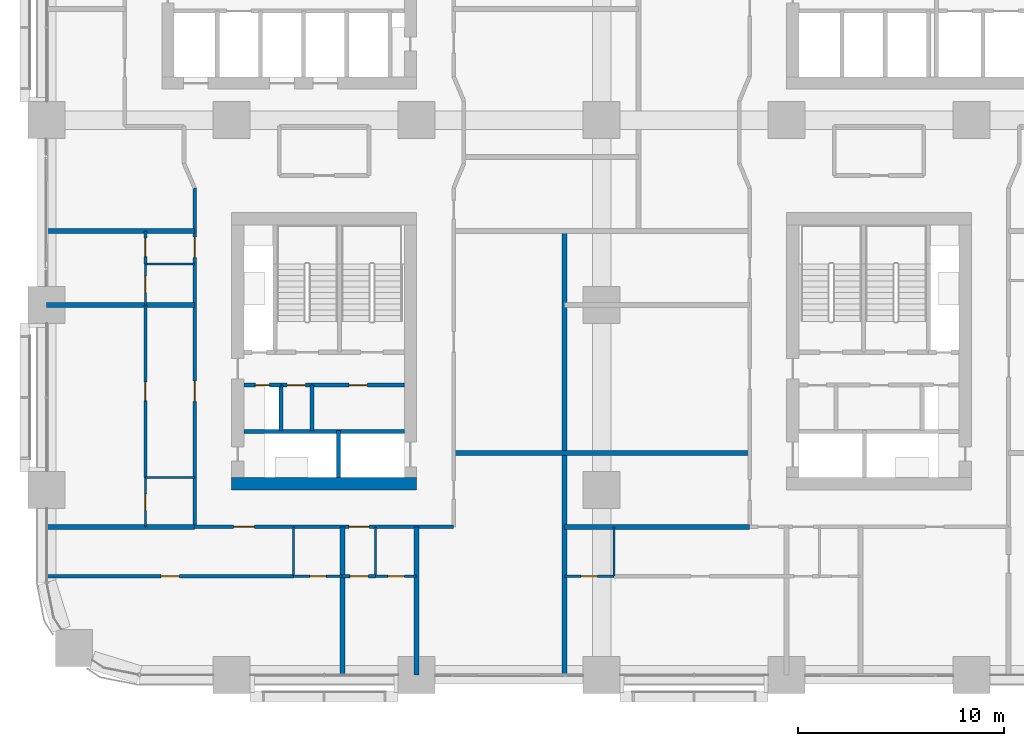
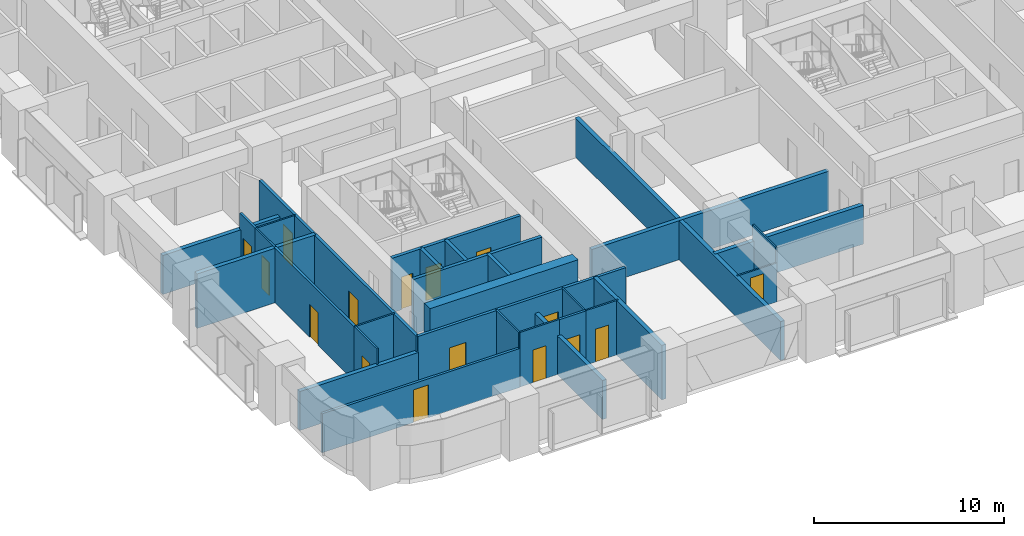
# One storey, part 14 of 23: 31 walls, 16 doors, 16 openings.
"""IFC4 building model written with IfcOpenShell, lengths in metres."""

from ifc_helpers import new_model, si_unit, direction, frame, frame_2d, origin, place, context, subcontext, project, spatial, rectangle, extrude, material, layer, layer_set, type_object, element, fill, save


model = new_model("IFC4")

# Units and contexts
model_context = context("Model", 3, precision=1e-05, world=origin(), true_north=direction((0.0, 1.0)))
body_context = subcontext(model_context, "Body", "Model", "MODEL_VIEW")
ifc_project = project(units=[si_unit("LENGTHUNIT", "METRE"), si_unit("AREAUNIT", "SQUARE_METRE"), si_unit("VOLUMEUNIT", "CUBIC_METRE"), si_unit("PLANEANGLEUNIT", "RADIAN"), si_unit("MASSUNIT", "GRAM", prefix="KILO")], contexts=[model_context])

# Site, building, storey
site_placement = place(None, origin())
site = spatial("IfcSite", under=ifc_project, at=site_placement, CompositionType="ELEMENT")
building_placement = place(site_placement, origin())
building = spatial("IfcBuilding", under=site, at=building_placement, Name="Tessera Arch", CompositionType="ELEMENT")
storey_placement = place(building_placement, frame((0.0, 0.0, 57.60009765625)))
storey = spatial("IfcBuildingStorey", under=building, at=storey_placement, Name="L12", CompositionType="ELEMENT", Elevation=57.60009765625)

# Wall
ifc_material_1 = material(Name="Gypsum board on steel stud", Category="steel")
ifc_layer_1 = layer(ifc_material_1, 0.125)
ifc_layer_set_1 = layer_set([ifc_layer_1], Name="Core partition 125 EI 60")
wall_type_1 = type_object("IfcWallType", Name="Core partition 125 EI 60", PredefinedType="PARTITIONING", material=ifc_layer_set_1)
wall_1_placement = place(storey_placement, frame((12.89990234375, 11.89990234375, 0.0), z_axis=(0.0, 0.0, 1.0), x_axis=(0.0, 1.0, 0.0)))
element("IfcWall", 1, at=wall_1_placement, inside=storey, type_object=wall_type_1, Name="L12 C4 partition wall 4", PredefinedType="PARTITIONING", context=body_context, shape_type="SweptSolid", body=[
    extrude(rectangle(XDim=2.2001953125, YDim=0.199951171875, at=frame_2d((1.10009765625, 0.0))), origin(), (0.0, 0.0, 1.0), 3.5),
])

# Wall, openings, doors
wall_2_placement = place(storey_placement, frame((11.39990234375, 14.10009765625, 0.0), z_axis=(0.0, 0.0, 1.0), x_axis=(1.0, 0.0, 0.0)))
wall_2 = element("IfcWall", 2, at=wall_2_placement, inside=storey, type_object=wall_type_1, Name="L12 C4 partition wall 9", PredefinedType="PARTITIONING", context=body_context, shape_type="SweptSolid", body=[
    extrude(rectangle(XDim=6.0, YDim=0.199951171875, at=frame_2d((3.0, 0.0))), origin(), (0.0, 0.0, 1.0), 3.5),
])
opening_1_placement = place(wall_2_placement, frame((0.300048828125, 0.0, 0.0)))
opening_1 = element("IfcOpeningElement", 3, at=opening_1_placement, cuts=wall_2, Name="Opening L12-C47", PredefinedType="OPENING", context=body_context, shape_type="SweptSolid", body=[
    extrude(rectangle(XDim=0.89990234375, YDim=2.10009765625, at=frame_2d((0.449951171875, 1.050048828125))), frame((0.0, 0.10986328125, 0.0), z_axis=(0.0, -1.0, 0.0), x_axis=(1.0, 0.0, 0.0)), (0.0, 0.0, 1.0), 0.219970703125),
])
opening_2_placement = place(wall_2_placement, frame((3.300048828125, 0.0, 0.0)))
opening_2 = element("IfcOpeningElement", 4, at=opening_2_placement, cuts=wall_2, Name="Opening L12-C48", PredefinedType="OPENING", context=body_context, shape_type="SweptSolid", body=[
    extrude(rectangle(XDim=0.89990234375, YDim=2.10009765625, at=frame_2d((0.449951171875, 1.050048828125))), frame((0.0, 0.10986328125, 0.0), z_axis=(0.0, -1.0, 0.0), x_axis=(1.0, 0.0, 0.0)), (0.0, 0.0, 1.0), 0.219970703125),
])
ifc_material_2 = material(Name="Steel door leaf", Category="steel")
door_type_1 = type_object("IfcDoorType", Name="Store door FD30S 900 x 2100", OperationType="SINGLE_SWING_LEFT", PredefinedType="DOOR", material=ifc_material_2)
door_1_placement = place(opening_1_placement, origin())
door_1 = element("IfcDoor", 5, at=door_1_placement, inside=storey, type_object=door_type_1, Name="L12 C4 door 8 C47 type D09", OperationType="SINGLE_SWING_LEFT", OverallHeight=2.10009765625, OverallWidth=0.89990234375, PredefinedType="DOOR", context=body_context, shape_type="SweptSolid", body=[
    extrude(rectangle(XDim=0.89990234375, YDim=2.10009765625, at=frame_2d((0.449951171875, 1.050048828125))), frame((0.0, 0.02490234375, 0.0), z_axis=(0.0, -1.0, 0.0), x_axis=(1.0, 0.0, 0.0)), (0.0, 0.0, 1.0), 0.050048828125),
])
fill(opening_1, door_1)
door_2_placement = place(opening_2_placement, origin())
door_2 = element("IfcDoor", 6, at=door_2_placement, inside=storey, type_object=door_type_1, Name="L12 C4 door 9 C48 type D09", OperationType="SINGLE_SWING_RIGHT", OverallHeight=2.10009765625, OverallWidth=0.89990234375, PredefinedType="DOOR", context=body_context, shape_type="SweptSolid", body=[
    extrude(rectangle(XDim=0.89990234375, YDim=2.10009765625, at=frame_2d((0.449951171875, 1.050048828125))), frame((0.0, 0.02490234375, 0.0), z_axis=(0.0, -1.0, 0.0), x_axis=(1.0, 0.0, 0.0)), (0.0, 0.0, 1.0), 0.050048828125),
])
fill(opening_2, door_2)

# Wall
ifc_material_3 = material(Name="Concrete C70/85", Category="concrete")
ifc_layer_2 = layer(ifc_material_3, 0.60009765625)
ifc_layer_set_2 = layer_set([ifc_layer_2], Name="Core shell wall 600 C70-85")
wall_type_2 = type_object("IfcWallType", Name="Core shell wall 600 C70-85", PredefinedType="SHEAR", material=ifc_layer_set_2)
wall_3_placement = place(storey_placement, frame((9.0, 9.300048828125, 0.0), z_axis=(0.0, 0.0, 1.0), x_axis=(1.0, 0.0, 0.0)))
element("IfcWall", 7, at=wall_3_placement, inside=storey, type_object=wall_type_2, Name="L12 C4 core wall S", PredefinedType="SHEAR", context=body_context, shape_type="SweptSolid", body=[
    extrude(rectangle(XDim=9.0, YDim=0.60009765625, at=frame_2d((4.5, 0.0))), origin(), (0.0, 0.0, 1.0), 3.5),
])

# Wall, openings, doors
ifc_material_4 = material(Name="Gypsum board on deep steel stud with mineral wool", Category="steel")
ifc_layer_3 = layer(ifc_material_4, 0.175048828125)
ifc_layer_set_3 = layer_set([ifc_layer_3], Name="Corridor wall 175 EI 60")
wall_type_3 = type_object("IfcWallType", Name="Corridor wall 175 EI 60", PredefinedType="PARTITIONING", material=ifc_layer_set_3)
wall_4_placement = place(storey_placement, frame((7.199951171875, 7.199951171875, 0.0), z_axis=(0.0, 0.0, 1.0), x_axis=(1.0, 0.0, 0.0)))
wall_4 = element("IfcWall", 8, at=wall_4_placement, inside=storey, type_object=wall_type_3, Name="L12 partition 1", PredefinedType="PARTITIONING", context=body_context, shape_type="SweptSolid", body=[
    extrude(rectangle(XDim=12.60009765625, YDim=0.175048828125, at=frame_2d((6.300048828125, 0.0))), origin(), (0.0, 0.0, 1.0), 3.5),
])
opening_3_placement = place(wall_4_placement, frame((7.5, 0.0, 0.0)))
opening_3 = element("IfcOpeningElement", 9, at=opening_3_placement, cuts=wall_4, Name="Opening L12-D001", PredefinedType="OPENING", context=body_context, shape_type="SweptSolid", body=[
    extrude(rectangle(XDim=1.0, YDim=2.10009765625, at=frame_2d((0.5, 1.050048828125))), frame((0.0, 0.097412109375, 0.0), z_axis=(0.0, -1.0, 0.0), x_axis=(1.0, 0.0, 0.0)), (0.0, 0.0, 1.0), 0.195068359375),
])
opening_4_placement = place(wall_4_placement, frame((1.89990234375, 0.0, 0.0)))
opening_4 = element("IfcOpeningElement", 10, at=opening_4_placement, cuts=wall_4, Name="Opening L12-D011", PredefinedType="OPENING", context=body_context, shape_type="SweptSolid", body=[
    extrude(rectangle(XDim=1.0, YDim=2.10009765625, at=frame_2d((0.5, 1.050048828125))), frame((0.0, 0.097412109375, 0.0), z_axis=(0.0, -1.0, 0.0), x_axis=(1.0, 0.0, 0.0)), (0.0, 0.0, 1.0), 0.195068359375),
])
ifc_material_5 = material(Name="Fire-rated door leaf")
door_type_2 = type_object("IfcDoorType", Name="Entrance door FD30S 1000 x 2100", OperationType="SINGLE_SWING_LEFT", PredefinedType="DOOR", material=ifc_material_5)
door_3_placement = place(opening_3_placement, origin())
door_3 = element("IfcDoor", 11, at=door_3_placement, inside=storey, type_object=door_type_2, Name="L12 door D001 type D03", OperationType="SINGLE_SWING_RIGHT", OverallHeight=2.10009765625, OverallWidth=1.0, PredefinedType="DOOR", context=body_context, shape_type="SweptSolid", body=[
    extrude(rectangle(XDim=1.0, YDim=2.10009765625, at=frame_2d((0.5, 1.050048828125))), frame((0.0, 0.02490234375, 0.0), z_axis=(0.0, -1.0, 0.0), x_axis=(1.0, 0.0, 0.0)), (0.0, 0.0, 1.0), 0.050048828125),
])
fill(opening_3, door_3)
door_4_placement = place(opening_4_placement, origin())
door_4 = element("IfcDoor", 12, at=door_4_placement, inside=storey, type_object=door_type_2, Name="L12 door D011 type D03", OperationType="SINGLE_SWING_RIGHT", OverallHeight=2.10009765625, OverallWidth=1.0, PredefinedType="DOOR", context=body_context, shape_type="SweptSolid", body=[
    extrude(rectangle(XDim=1.0, YDim=2.10009765625, at=frame_2d((0.5, 1.050048828125))), frame((0.0, 0.02490234375, 0.0), z_axis=(0.0, -1.0, 0.0), x_axis=(1.0, 0.0, 0.0)), (0.0, 0.0, 1.0), 0.050048828125),
])
fill(opening_4, door_4)

wall_5_placement = place(storey_placement, frame((7.199951171875, 7.199951171875, 0.0), z_axis=(0.0, 0.0, 1.0), x_axis=(0.0, 1.0, 0.0)))
wall_5 = element("IfcWall", 13, at=wall_5_placement, inside=storey, type_object=wall_type_3, Name="L12 partition 13", PredefinedType="PARTITIONING", context=body_context, shape_type="SweptSolid", body=[
    extrude(rectangle(XDim=16.489990234375, YDim=0.175048828125, at=frame_2d((8.2451171875, 0.0))), origin(), (0.0, 0.0, 1.0), 3.5),
])
opening_5_placement = place(wall_5_placement, frame((6.10009765625, 0.0, 0.0)))
opening_5 = element("IfcOpeningElement", 14, at=opening_5_placement, cuts=wall_5, Name="Opening L12-D016", PredefinedType="OPENING", context=body_context, shape_type="SweptSolid", body=[
    extrude(rectangle(XDim=1.0, YDim=2.10009765625, at=frame_2d((0.5, 1.050048828125))), frame((0.0, 0.097412109375, 0.0), z_axis=(0.0, -1.0, 0.0), x_axis=(1.0, 0.0, 0.0)), (0.0, 0.0, 1.0), 0.195068359375),
])
opening_6_placement = place(wall_5_placement, frame((13.10009765625, 0.0, 0.0)))
opening_6 = element("IfcOpeningElement", 15, at=opening_6_placement, cuts=wall_5, Name="Opening L12-D024", PredefinedType="OPENING", context=body_context, shape_type="SweptSolid", body=[
    extrude(rectangle(XDim=1.0, YDim=2.10009765625, at=frame_2d((0.5, 1.050048828125))), frame((0.0, 0.097412109375, 0.0), z_axis=(0.0, -1.0, 0.0), x_axis=(1.0, 0.0, 0.0)), (0.0, 0.0, 1.0), 0.195068359375),
])
door_5_placement = place(opening_5_placement, origin())
door_5 = element("IfcDoor", 16, at=door_5_placement, inside=storey, type_object=door_type_2, Name="L12 door D016 type D03", OperationType="SINGLE_SWING_LEFT", OverallHeight=2.10009765625, OverallWidth=1.0, PredefinedType="DOOR", context=body_context, shape_type="SweptSolid", body=[
    extrude(rectangle(XDim=1.0, YDim=2.10009765625, at=frame_2d((0.5, 1.050048828125))), frame((0.0, 0.02490234375, 0.0), z_axis=(0.0, -1.0, 0.0), x_axis=(1.0, 0.0, 0.0)), (0.0, 0.0, 1.0), 0.050048828125),
])
fill(opening_5, door_5)
door_6_placement = place(opening_6_placement, origin())
door_6 = element("IfcDoor", 17, at=door_6_placement, inside=storey, type_object=door_type_2, Name="L12 door D024 type D03", OperationType="SINGLE_SWING_LEFT", OverallHeight=2.10009765625, OverallWidth=1.0, PredefinedType="DOOR", context=body_context, shape_type="SweptSolid", body=[
    extrude(rectangle(XDim=1.0, YDim=2.10009765625, at=frame_2d((0.5, 1.050048828125))), frame((0.0, 0.02490234375, 0.0), z_axis=(0.0, -1.0, 0.0), x_axis=(1.0, 0.0, 0.0)), (0.0, 0.0, 1.0), 0.050048828125),
])
fill(opening_6, door_6)

# Wall, opening, door
ifc_material_6 = material(Name="Gypsum board on steel stud", Category="steel")
ifc_layer_4 = layer(ifc_material_6, 0.14990234375)
ifc_layer_set_4 = layer_set([ifc_layer_4], Name="Partition 150")
wall_type_4 = type_object("IfcWallType", Name="Partition 150", PredefinedType="PARTITIONING", material=ifc_layer_set_4)
wall_6_placement = place(storey_placement, frame((0.0, 4.800048828125, 0.0), z_axis=(0.0, 0.0, 1.0), x_axis=(1.0, 0.0, 0.0)))
wall_6 = element("IfcWall", 18, at=wall_6_placement, inside=storey, type_object=wall_type_4, Name="L12 partition 27", PredefinedType="PARTITIONING", context=body_context, shape_type="SweptSolid", body=[
    extrude(rectangle(XDim=12.0, YDim=0.14990234375, at=frame_2d((6.0, 0.0))), origin(), (0.0, 0.0, 1.0), 2.5),
])
opening_7_placement = place(wall_6_placement, frame((5.550048828125, 0.0, 0.0)))
opening_7 = element("IfcOpeningElement", 19, at=opening_7_placement, cuts=wall_6, Name="Opening L12-D012", PredefinedType="OPENING", context=body_context, shape_type="SweptSolid", body=[
    extrude(rectangle(XDim=0.89990234375, YDim=2.10009765625, at=frame_2d((0.449951171875, 1.050048828125))), frame((0.0, 0.0849609375, 0.0), z_axis=(0.0, -1.0, 0.0), x_axis=(1.0, 0.0, 0.0)), (0.0, 0.0, 1.0), 0.169921875),
])
ifc_material_7 = material(Name="Timber door leaf", Category="wood")
door_type_3 = type_object("IfcDoorType", Name="Room door 900 x 2100", OperationType="SINGLE_SWING_LEFT", PredefinedType="DOOR", material=ifc_material_7)
door_7_placement = place(opening_7_placement, origin())
door_7 = element("IfcDoor", 20, at=door_7_placement, inside=storey, type_object=door_type_3, Name="L12 door D012 type D01", OperationType="SINGLE_SWING_LEFT", OverallHeight=2.10009765625, OverallWidth=0.89990234375, PredefinedType="DOOR", context=body_context, shape_type="SweptSolid", body=[
    extrude(rectangle(XDim=0.89990234375, YDim=2.10009765625, at=frame_2d((0.449951171875, 1.050048828125))), frame((0.0, 0.02490234375, 0.0), z_axis=(0.0, -1.0, 0.0), x_axis=(1.0, 0.0, 0.0)), (0.0, 0.0, 1.0), 0.050048828125),
])
fill(opening_7, door_7)

wall_7_placement = place(storey_placement, frame((14.39990234375, 4.800048828125, 0.0), z_axis=(0.0, 0.0, 1.0), x_axis=(1.0, 0.0, 0.0)))
wall_7 = element("IfcWall", 21, at=wall_7_placement, inside=storey, type_object=wall_type_4, Name="L12 partition 28", PredefinedType="PARTITIONING", context=body_context, shape_type="SweptSolid", body=[
    extrude(rectangle(XDim=1.60009765625, YDim=0.14990234375, at=frame_2d((0.800048828125, 0.0))), origin(), (0.0, 0.0, 1.0), 3.5),
])
opening_8_placement = place(wall_7_placement, frame((0.35009765625, 0.0, 0.0)))
opening_8 = element("IfcOpeningElement", 22, at=opening_8_placement, cuts=wall_7, Name="Opening L12-D002", PredefinedType="OPENING", context=body_context, shape_type="SweptSolid", body=[
    extrude(rectangle(XDim=0.89990234375, YDim=2.10009765625, at=frame_2d((0.449951171875, 1.050048828125))), frame((0.0, 0.0849609375, 0.0), z_axis=(0.0, -1.0, 0.0), x_axis=(1.0, 0.0, 0.0)), (0.0, 0.0, 1.0), 0.169921875),
])
door_8_placement = place(opening_8_placement, origin())
door_8 = element("IfcDoor", 23, at=door_8_placement, inside=storey, type_object=door_type_3, Name="L12 door D002 type D01", OperationType="SINGLE_SWING_LEFT", OverallHeight=2.10009765625, OverallWidth=0.89990234375, PredefinedType="DOOR", context=body_context, shape_type="SweptSolid", body=[
    extrude(rectangle(XDim=0.89990234375, YDim=2.10009765625, at=frame_2d((0.449951171875, 1.050048828125))), frame((0.0, 0.02490234375, 0.0), z_axis=(0.0, -1.0, 0.0), x_axis=(1.0, 0.0, 0.0)), (0.0, 0.0, 1.0), 0.050048828125),
])
fill(opening_8, door_8)

wall_8_placement = place(storey_placement, frame((4.800048828125, 9.60009765625, 0.0), z_axis=(0.0, 0.0, 1.0), x_axis=(0.0, 1.0, 0.0)))
wall_8 = element("IfcWall", 24, at=wall_8_placement, inside=storey, type_object=wall_type_4, Name="L12 partition 30", PredefinedType="PARTITIONING", context=body_context, shape_type="SweptSolid", body=[
    extrude(rectangle(XDim=8.39990234375, YDim=0.14990234375, at=frame_2d((4.199951171875, 0.0))), origin(), (0.0, 0.0, 1.0), 3.5),
])
opening_9_placement = place(wall_8_placement, frame((3.75, 0.0, 0.0)))
opening_9 = element("IfcOpeningElement", 25, at=opening_9_placement, cuts=wall_8, Name="Opening L12-D017", PredefinedType="OPENING", context=body_context, shape_type="SweptSolid", body=[
    extrude(rectangle(XDim=0.89990234375, YDim=2.10009765625, at=frame_2d((0.449951171875, 1.050048828125))), frame((0.0, 0.0849609375, 0.0), z_axis=(0.0, -1.0, 0.0), x_axis=(1.0, 0.0, 0.0)), (0.0, 0.0, 1.0), 0.169921875),
])
door_9_placement = place(opening_9_placement, origin())
door_9 = element("IfcDoor", 26, at=door_9_placement, inside=storey, type_object=door_type_3, Name="L12 door D017 type D01", OperationType="SINGLE_SWING_RIGHT", OverallHeight=2.10009765625, OverallWidth=0.89990234375, PredefinedType="DOOR", context=body_context, shape_type="SweptSolid", body=[
    extrude(rectangle(XDim=0.89990234375, YDim=2.10009765625, at=frame_2d((0.449951171875, 1.050048828125))), frame((0.0, 0.02490234375, 0.0), z_axis=(0.0, -1.0, 0.0), x_axis=(1.0, 0.0, 0.0)), (0.0, 0.0, 1.0), 0.050048828125),
])
fill(opening_9, door_9)

wall_9_placement = place(storey_placement, frame((4.800048828125, 20.0, 0.0), z_axis=(0.0, 0.0, 1.0), x_axis=(0.0, 1.0, 0.0)))
wall_9 = element("IfcWall", 27, at=wall_9_placement, inside=storey, type_object=wall_type_4, Name="L12 partition 31", PredefinedType="PARTITIONING", context=body_context, shape_type="SweptSolid", body=[
    extrude(rectangle(XDim=1.60009765625, YDim=0.14990234375, at=frame_2d((0.800048828125, 0.0))), origin(), (0.0, 0.0, 1.0), 3.5),
])
opening_10_placement = place(wall_9_placement, frame((0.35009765625, 0.0, 0.0)))
opening_10 = element("IfcOpeningElement", 28, at=opening_10_placement, cuts=wall_9, Name="Opening L12-D025", PredefinedType="OPENING", context=body_context, shape_type="SweptSolid", body=[
    extrude(rectangle(XDim=0.89990234375, YDim=2.10009765625, at=frame_2d((0.449951171875, 1.050048828125))), frame((0.0, 0.0849609375, 0.0), z_axis=(0.0, -1.0, 0.0), x_axis=(1.0, 0.0, 0.0)), (0.0, 0.0, 1.0), 0.169921875),
])
door_10_placement = place(opening_10_placement, origin())
door_10 = element("IfcDoor", 29, at=door_10_placement, inside=storey, type_object=door_type_3, Name="L12 door D025 type D01", OperationType="SINGLE_SWING_RIGHT", OverallHeight=2.10009765625, OverallWidth=0.89990234375, PredefinedType="DOOR", context=body_context, shape_type="SweptSolid", body=[
    extrude(rectangle(XDim=0.89990234375, YDim=2.10009765625, at=frame_2d((0.449951171875, 1.050048828125))), frame((0.0, 0.02490234375, 0.0), z_axis=(0.0, -1.0, 0.0), x_axis=(1.0, 0.0, 0.0)), (0.0, 0.0, 1.0), 0.050048828125),
])
fill(opening_10, door_10)

# Walls
ifc_material_8 = material(Name="Double gypsum board on twin steel stud with acoustic mineral wool", Category="steel")
ifc_layer_5 = layer(ifc_material_8, 0.25)
ifc_layer_set_5 = layer_set([ifc_layer_5], Name="Party wall 250 EI 60")
wall_type_5 = type_object("IfcWallType", Name="Party wall 250 EI 60", PredefinedType="PARTITIONING", material=ifc_layer_set_5)
wall_10_placement = place(storey_placement, frame((0.0, 7.199951171875, 0.0), z_axis=(0.0, 0.0, 1.0), x_axis=(1.0, 0.0, 0.0)))
element("IfcWall", 30, at=wall_10_placement, inside=storey, type_object=wall_type_5, Name="L12 partition 33", PredefinedType="PARTITIONING", context=body_context, shape_type="SweptSolid", body=[
    extrude(rectangle(XDim=7.199951171875, YDim=0.25, at=frame_2d((3.60009765625, 0.0))), origin(), (0.0, 0.0, 1.0), 2.5),
])
wall_11_placement = place(storey_placement, frame((25.199951171875, 7.199951171875, 0.0), z_axis=(0.0, 0.0, 1.0), x_axis=(1.0, 0.0, 0.0)))
element("IfcWall", 31, at=wall_11_placement, inside=storey, type_object=wall_type_5, Name="L12 partition 34", PredefinedType="PARTITIONING", context=body_context, shape_type="SweptSolid", body=[
    extrude(rectangle(XDim=9.0, YDim=0.25, at=frame_2d((4.5, 0.0))), origin(), (0.0, 0.0, 1.0), 2.5),
])
wall_12_placement = place(storey_placement, frame((19.800048828125, 10.800048828125, 0.0), z_axis=(0.0, 0.0, 1.0), x_axis=(1.0, 0.0, 0.0)))
element("IfcWall", 32, at=wall_12_placement, inside=storey, type_object=wall_type_5, Name="L12 partition 35", PredefinedType="PARTITIONING", context=body_context, shape_type="SweptSolid", body=[
    extrude(rectangle(XDim=14.39990234375, YDim=0.25, at=frame_2d((7.199951171875, 0.0))), origin(), (0.0, 0.0, 1.0), 2.5),
])
wall_13_placement = place(storey_placement, frame((0.0, 18.0, 0.0), z_axis=(0.0, 0.0, 1.0), x_axis=(1.0, 0.0, 0.0)))
element("IfcWall", 33, at=wall_13_placement, inside=storey, type_object=wall_type_5, Name="L12 partition 37", PredefinedType="PARTITIONING", context=body_context, shape_type="SweptSolid", body=[
    extrude(rectangle(XDim=7.199951171875, YDim=0.25, at=frame_2d((3.60009765625, 0.0))), origin(), (0.0, 0.0, 1.0), 3.5),
])
for number, where, z_axis, x_axis, name in (
    (34, (0.0, 21.60009765625, 0.0), (0.0, 0.0, 1.0), (1.0, 0.0, 0.0), "L12 partition 39"),
    (35, (14.39990234375, 0.0, 0.0), (0.0, 0.0, 1.0), (0.0, 1.0, 0.0), "L12 partition 52"),
):
    element("IfcWall", number, at=place(storey_placement, frame(where, z_axis=z_axis, x_axis=x_axis)), inside=storey, type_object=wall_type_5, Name=name, PredefinedType="PARTITIONING", context=body_context, shape_type="SweptSolid", body=[
        extrude(rectangle(XDim=7.199951171875, YDim=0.25, at=frame_2d((3.60009765625, 0.0))), origin(), (0.0, 0.0, 1.0), 2.5),
    ])
wall_14_placement = place(storey_placement, frame((18.0, 0.0, 0.0), z_axis=(0.0, 0.0, 1.0), x_axis=(0.0, 1.0, 0.0)))
element("IfcWall", 36, at=wall_14_placement, inside=storey, type_object=wall_type_5, Name="L12 partition 53", PredefinedType="PARTITIONING", context=body_context, shape_type="SweptSolid", body=[
    extrude(rectangle(XDim=7.199951171875, YDim=0.25, at=frame_2d((3.60009765625, 0.0))), origin(), (0.0, 0.0, 1.0), 3.5),
])
wall_15_placement = place(storey_placement, frame((25.199951171875, 0.0, 0.0), z_axis=(0.0, 0.0, 1.0), x_axis=(0.0, 1.0, 0.0)))
element("IfcWall", 37, at=wall_15_placement, inside=storey, type_object=wall_type_5, Name="L12 partition 55", PredefinedType="PARTITIONING", context=body_context, shape_type="SweptSolid", body=[
    extrude(rectangle(XDim=21.60009765625, YDim=0.25, at=frame_2d((10.800048828125, 0.0))), origin(), (0.0, 0.0, 1.0), 2.5),
])
ifc_material_9 = material(Name="Concrete C40/50", Category="concrete")
ifc_layer_6 = layer(ifc_material_9, 0.199951171875)
ifc_layer_set_6 = layer_set([ifc_layer_6], Name="Shaft wall 200 EI 120")
wall_type_6 = type_object("IfcWallType", Name="Shaft wall 200 EI 120", PredefinedType="SOLIDWALL", material=ifc_layer_set_6)
wall_16_placement = place(storey_placement, frame((11.39990234375, 11.89990234375, 0.0), z_axis=(0.0, 0.0, 1.0), x_axis=(0.0, 1.0, 0.0)))
element("IfcWall", 38, at=wall_16_placement, inside=storey, type_object=wall_type_6, Name="L12 C4 shaft wall 3", PredefinedType="SOLIDWALL", context=body_context, shape_type="SweptSolid", body=[
    extrude(rectangle(XDim=2.2001953125, YDim=0.199951171875, at=frame_2d((1.10009765625, 0.0))), origin(), (0.0, 0.0, 1.0), 3.5),
])
wall_17_placement = place(storey_placement, frame((14.199951171875, 9.60009765625, 0.0), z_axis=(0.0, 0.0, 1.0), x_axis=(0.0, 1.0, 0.0)))
element("IfcWall", 39, at=wall_17_placement, inside=storey, type_object=wall_type_6, Name="L12 C4 shaft wall 5", PredefinedType="SOLIDWALL", context=body_context, shape_type="SweptSolid", body=[
    extrude(rectangle(XDim=2.2998046875, YDim=0.199951171875, at=frame_2d((1.14990234375, 0.0))), origin(), (0.0, 0.0, 1.0), 3.5),
])
wall_18_placement = place(storey_placement, frame((9.60009765625, 11.85009765625, 0.0), z_axis=(0.0, 0.0, 1.0), x_axis=(1.0, 0.0, 0.0)))
element("IfcWall", 40, at=wall_18_placement, inside=storey, type_object=wall_type_6, Name="L12 C4 shaft wall 8", PredefinedType="SOLIDWALL", context=body_context, shape_type="SweptSolid", body=[
    extrude(rectangle(XDim=7.7998046875, YDim=0.199951171875, at=frame_2d((3.89990234375, 0.0))), origin(), (0.0, 0.0, 1.0), 3.5),
])

# Wall, opening, door
wall_19_placement = place(storey_placement, frame((9.60009765625, 14.10009765625, 0.0), z_axis=(0.0, 0.0, 1.0), x_axis=(1.0, 0.0, 0.0)))
wall_19 = element("IfcWall", 41, at=wall_19_placement, inside=storey, type_object=wall_type_6, Name="L12 C4 shaft wall 10", PredefinedType="SOLIDWALL", context=body_context, shape_type="SweptSolid", body=[
    extrude(rectangle(XDim=1.7998046875, YDim=0.199951171875, at=frame_2d((0.89990234375, 0.0))), origin(), (0.0, 0.0, 1.0), 3.5),
])
opening_11_placement = place(wall_19_placement, frame((0.550048828125, 0.0, 0.0)))
opening_11 = element("IfcOpeningElement", 42, at=opening_11_placement, cuts=wall_19, Name="Opening L12-C44", PredefinedType="OPENING", context=body_context, shape_type="SweptSolid", body=[
    extrude(rectangle(XDim=0.699951171875, YDim=2.10009765625, at=frame_2d((0.35009765625, 1.050048828125))), frame((0.0, 0.10986328125, 0.0), z_axis=(0.0, -1.0, 0.0), x_axis=(1.0, 0.0, 0.0)), (0.0, 0.0, 1.0), 0.219970703125),
])
ifc_material_10 = material(Name="Steel door leaf", Category="steel")
door_type_4 = type_object("IfcDoorType", Name="Service shaft door FD60 700 x 2100", OperationType="SINGLE_SWING_LEFT", PredefinedType="DOOR", material=ifc_material_10)
door_11_placement = place(opening_11_placement, origin())
door_11 = element("IfcDoor", 43, at=door_11_placement, inside=storey, type_object=door_type_4, Name="L12 C4 door 5 C44 type D07", OperationType="SINGLE_SWING_LEFT", OverallHeight=2.10009765625, OverallWidth=0.699951171875, PredefinedType="DOOR", context=body_context, shape_type="SweptSolid", body=[
    extrude(rectangle(XDim=0.699951171875, YDim=2.10009765625, at=frame_2d((0.35009765625, 1.050048828125))), frame((0.0, 0.02490234375, 0.0), z_axis=(0.0, -1.0, 0.0), x_axis=(1.0, 0.0, 0.0)), (0.0, 0.0, 1.0), 0.050048828125),
])
fill(opening_11, door_11)

ifc_material_11 = material(Name="Moisture-resistant board on pre-plumbed steel stud", Category="steel")
ifc_layer_7 = layer(ifc_material_11, 0.10009765625)
ifc_layer_set_7 = layer_set([ifc_layer_7], Name="Wet wall 100")
wall_type_7 = type_object("IfcWallType", Name="Wet wall 100", PredefinedType="PARTITIONING", material=ifc_layer_set_7)
wall_20_placement = place(storey_placement, frame((12.0, 4.800048828125, 0.0), z_axis=(0.0, 0.0, 1.0), x_axis=(1.0, 0.0, 0.0)))
wall_20 = element("IfcWall", 44, at=wall_20_placement, inside=storey, type_object=wall_type_7, Name="L12 partition 62", PredefinedType="PARTITIONING", context=body_context, shape_type="SweptSolid", body=[
    extrude(rectangle(XDim=2.39990234375, YDim=0.10009765625, at=frame_2d((1.199951171875, 0.0))), origin(), (0.0, 0.0, 1.0), 3.5),
])
opening_12_placement = place(wall_20_placement, frame((0.800048828125, 0.0, 0.0)))
opening_12 = element("IfcOpeningElement", 45, at=opening_12_placement, cuts=wall_20, Name="Opening L12-D013", PredefinedType="OPENING", context=body_context, shape_type="SweptSolid", body=[
    extrude(rectangle(XDim=0.800048828125, YDim=2.10009765625, at=frame_2d((0.39990234375, 1.050048828125))), frame((0.0, 0.06005859375, 0.0), z_axis=(0.0, -1.0, 0.0), x_axis=(1.0, 0.0, 0.0)), (0.0, 0.0, 1.0), 0.1201171875),
])
ifc_material_12 = material(Name="Timber door leaf", Category="wood")
door_type_5 = type_object("IfcDoorType", Name="En-suite door 800 x 2100", OperationType="SINGLE_SWING_LEFT", PredefinedType="DOOR", material=ifc_material_12)
door_12_placement = place(opening_12_placement, origin())
door_12 = element("IfcDoor", 46, at=door_12_placement, inside=storey, type_object=door_type_5, Name="L12 door D013 type D02", OperationType="SINGLE_SWING_RIGHT", OverallHeight=2.10009765625, OverallWidth=0.800048828125, PredefinedType="DOOR", context=body_context, shape_type="SweptSolid", body=[
    extrude(rectangle(XDim=0.800048828125, YDim=2.10009765625, at=frame_2d((0.39990234375, 1.050048828125))), frame((0.0, 0.02490234375, 0.0), z_axis=(0.0, -1.0, 0.0), x_axis=(1.0, 0.0, 0.0)), (0.0, 0.0, 1.0), 0.050048828125),
])
fill(opening_12, door_12)

wall_21_placement = place(storey_placement, frame((16.0, 4.800048828125, 0.0), z_axis=(0.0, 0.0, 1.0), x_axis=(1.0, 0.0, 0.0)))
wall_21 = element("IfcWall", 47, at=wall_21_placement, inside=storey, type_object=wall_type_7, Name="L12 partition 63", PredefinedType="PARTITIONING", context=body_context, shape_type="SweptSolid", body=[
    extrude(rectangle(XDim=2.0, YDim=0.10009765625, at=frame_2d((1.0, 0.0))), origin(), (0.0, 0.0, 1.0), 3.5),
])
opening_13_placement = place(wall_21_placement, frame((0.60009765625, 0.0, 0.0)))
opening_13 = element("IfcOpeningElement", 48, at=opening_13_placement, cuts=wall_21, Name="Opening L12-D003", PredefinedType="OPENING", context=body_context, shape_type="SweptSolid", body=[
    extrude(rectangle(XDim=0.800048828125, YDim=2.10009765625, at=frame_2d((0.39990234375, 1.050048828125))), frame((0.0, 0.06005859375, 0.0), z_axis=(0.0, -1.0, 0.0), x_axis=(1.0, 0.0, 0.0)), (0.0, 0.0, 1.0), 0.1201171875),
])
door_13_placement = place(opening_13_placement, origin())
door_13 = element("IfcDoor", 49, at=door_13_placement, inside=storey, type_object=door_type_5, Name="L12 door D003 type D02", OperationType="SINGLE_SWING_RIGHT", OverallHeight=2.10009765625, OverallWidth=0.800048828125, PredefinedType="DOOR", context=body_context, shape_type="SweptSolid", body=[
    extrude(rectangle(XDim=0.800048828125, YDim=2.10009765625, at=frame_2d((0.39990234375, 1.050048828125))), frame((0.0, 0.02490234375, 0.0), z_axis=(0.0, -1.0, 0.0), x_axis=(1.0, 0.0, 0.0)), (0.0, 0.0, 1.0), 0.050048828125),
])
fill(opening_13, door_13)

wall_22_placement = place(storey_placement, frame((25.199951171875, 4.800048828125, 0.0), z_axis=(0.0, 0.0, 1.0), x_axis=(1.0, 0.0, 0.0)))
wall_22 = element("IfcWall", 50, at=wall_22_placement, inside=storey, type_object=wall_type_7, Name="L12 partition 64", PredefinedType="PARTITIONING", context=body_context, shape_type="SweptSolid", body=[
    extrude(rectangle(XDim=2.400146484375, YDim=0.10009765625, at=frame_2d((1.2001953125, 0.0))), origin(), (0.0, 0.0, 1.0), 2.5),
])
opening_14_placement = place(wall_22_placement, frame((0.800048828125, 0.0, 0.0)))
opening_14 = element("IfcOpeningElement", 51, at=opening_14_placement, cuts=wall_22, Name="Opening L12-D006", PredefinedType="OPENING", context=body_context, shape_type="SweptSolid", body=[
    extrude(rectangle(XDim=0.800048828125, YDim=2.10009765625, at=frame_2d((0.39990234375, 1.050048828125))), frame((0.0, 0.06005859375, 0.0), z_axis=(0.0, -1.0, 0.0), x_axis=(1.0, 0.0, 0.0)), (0.0, 0.0, 1.0), 0.1201171875),
])
door_14_placement = place(opening_14_placement, origin())
door_14 = element("IfcDoor", 52, at=door_14_placement, inside=storey, type_object=door_type_5, Name="L12 door D006 type D02", OperationType="SINGLE_SWING_LEFT", OverallHeight=2.10009765625, OverallWidth=0.800048828125, PredefinedType="DOOR", context=body_context, shape_type="SweptSolid", body=[
    extrude(rectangle(XDim=0.800048828125, YDim=2.10009765625, at=frame_2d((0.39990234375, 1.050048828125))), frame((0.0, 0.02490234375, 0.0), z_axis=(0.0, -1.0, 0.0), x_axis=(1.0, 0.0, 0.0)), (0.0, 0.0, 1.0), 0.050048828125),
])
fill(opening_14, door_14)

# Walls
for number, where, z_axis, x_axis, name in (
    (53, (4.800048828125, 9.60009765625, 0.0), (0.0, 0.0, 1.0), (1.0, 0.0, 0.0), "L12 partition 66"),
    (54, (4.800048828125, 20.0, 0.0), (0.0, 0.0, 1.0), (1.0, 0.0, 0.0), "L12 partition 68"),
):
    element("IfcWall", number, at=place(storey_placement, frame(where, z_axis=z_axis, x_axis=x_axis)), inside=storey, type_object=wall_type_7, Name=name, PredefinedType="PARTITIONING", context=body_context, shape_type="SweptSolid", body=[
        extrude(rectangle(XDim=2.39990234375, YDim=0.10009765625, at=frame_2d((1.199951171875, 0.0))), origin(), (0.0, 0.0, 1.0), 3.5),
    ])

# Wall, opening, door
wall_23_placement = place(storey_placement, frame((4.800048828125, 7.199951171875, 0.0), z_axis=(0.0, 0.0, 1.0), x_axis=(0.0, 1.0, 0.0)))
wall_23 = element("IfcWall", 55, at=wall_23_placement, inside=storey, type_object=wall_type_7, Name="L12 partition 69", PredefinedType="PARTITIONING", context=body_context, shape_type="SweptSolid", body=[
    extrude(rectangle(XDim=2.400146484375, YDim=0.10009765625, at=frame_2d((1.2001953125, 0.0))), origin(), (0.0, 0.0, 1.0), 3.5),
])
opening_15_placement = place(wall_23_placement, frame((0.800048828125, 0.0, 0.0)))
opening_15 = element("IfcOpeningElement", 56, at=opening_15_placement, cuts=wall_23, Name="Opening L12-D018", PredefinedType="OPENING", context=body_context, shape_type="SweptSolid", body=[
    extrude(rectangle(XDim=0.800048828125, YDim=2.10009765625, at=frame_2d((0.39990234375, 1.050048828125))), frame((0.0, 0.06005859375, 0.0), z_axis=(0.0, -1.0, 0.0), x_axis=(1.0, 0.0, 0.0)), (0.0, 0.0, 1.0), 0.1201171875),
])
door_15_placement = place(opening_15_placement, origin())
door_15 = element("IfcDoor", 57, at=door_15_placement, inside=storey, type_object=door_type_5, Name="L12 door D018 type D02", OperationType="SINGLE_SWING_LEFT", OverallHeight=2.10009765625, OverallWidth=0.800048828125, PredefinedType="DOOR", context=body_context, shape_type="SweptSolid", body=[
    extrude(rectangle(XDim=0.800048828125, YDim=2.10009765625, at=frame_2d((0.39990234375, 1.050048828125))), frame((0.0, 0.02490234375, 0.0), z_axis=(0.0, -1.0, 0.0), x_axis=(1.0, 0.0, 0.0)), (0.0, 0.0, 1.0), 0.050048828125),
])
fill(opening_15, door_15)

wall_24_placement = place(storey_placement, frame((4.800048828125, 18.0, 0.0), z_axis=(0.0, 0.0, 1.0), x_axis=(0.0, 1.0, 0.0)))
wall_24 = element("IfcWall", 58, at=wall_24_placement, inside=storey, type_object=wall_type_7, Name="L12 partition 70", PredefinedType="PARTITIONING", context=body_context, shape_type="SweptSolid", body=[
    extrude(rectangle(XDim=2.0, YDim=0.10009765625, at=frame_2d((1.0, 0.0))), origin(), (0.0, 0.0, 1.0), 3.5),
])
opening_16_placement = place(wall_24_placement, frame((0.60009765625, 0.0, 0.0)))
opening_16 = element("IfcOpeningElement", 59, at=opening_16_placement, cuts=wall_24, Name="Opening L12-D026", PredefinedType="OPENING", context=body_context, shape_type="SweptSolid", body=[
    extrude(rectangle(XDim=0.800048828125, YDim=2.10009765625, at=frame_2d((0.39990234375, 1.050048828125))), frame((0.0, 0.06005859375, 0.0), z_axis=(0.0, -1.0, 0.0), x_axis=(1.0, 0.0, 0.0)), (0.0, 0.0, 1.0), 0.1201171875),
])
door_16_placement = place(opening_16_placement, origin())
door_16 = element("IfcDoor", 60, at=door_16_placement, inside=storey, type_object=door_type_5, Name="L12 door D026 type D02", OperationType="SINGLE_SWING_LEFT", OverallHeight=2.10009765625, OverallWidth=0.800048828125, PredefinedType="DOOR", context=body_context, shape_type="SweptSolid", body=[
    extrude(rectangle(XDim=0.800048828125, YDim=2.10009765625, at=frame_2d((0.39990234375, 1.050048828125))), frame((0.0, 0.02490234375, 0.0), z_axis=(0.0, -1.0, 0.0), x_axis=(1.0, 0.0, 0.0)), (0.0, 0.0, 1.0), 0.050048828125),
])
fill(opening_16, door_16)

# Walls
for number, where, z_axis, x_axis, name in (
    (61, (12.0, 4.800048828125, 0.0), (0.0, 0.0, 1.0), (0.0, 1.0, 0.0), "L12 partition 71"),
    (62, (16.0, 4.800048828125, 0.0), (0.0, 0.0, 1.0), (0.0, 1.0, 0.0), "L12 partition 72"),
    (63, (27.60009765625, 4.800048828125, 0.0), (0.0, 0.0, 1.0), (0.0, 1.0, 0.0), "L12 partition 73"),
):
    element("IfcWall", number, at=place(storey_placement, frame(where, z_axis=z_axis, x_axis=x_axis)), inside=storey, type_object=wall_type_7, Name=name, PredefinedType="PARTITIONING", context=body_context, shape_type="SweptSolid", body=[
        extrude(rectangle(XDim=2.39990234375, YDim=0.10009765625, at=frame_2d((1.199951171875, 0.0))), origin(), (0.0, 0.0, 1.0), 3.5),
    ])

save(model, "model.ifc")
